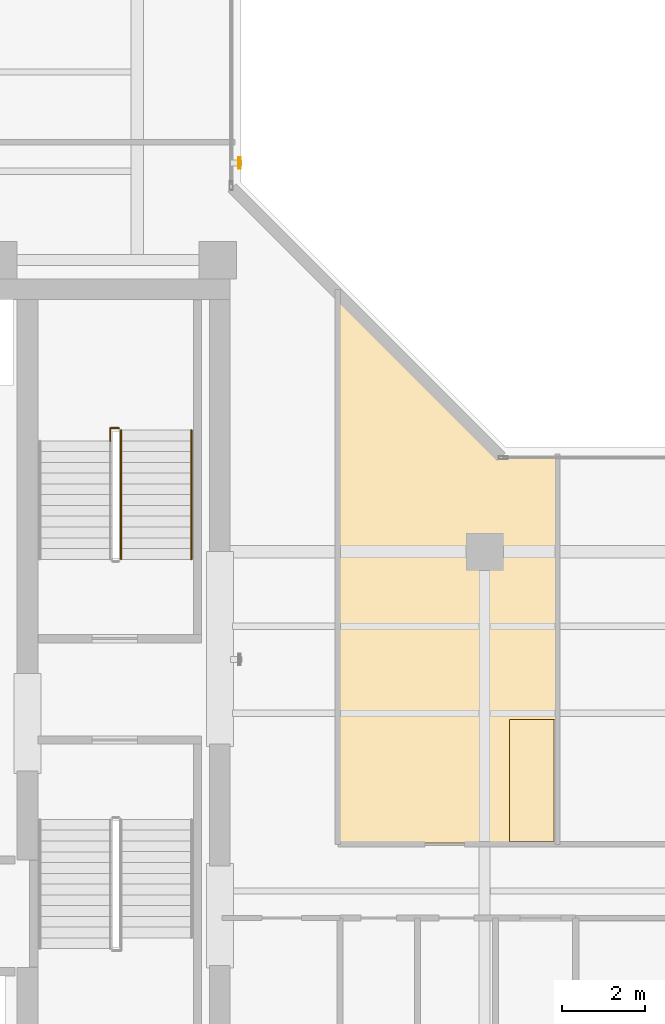
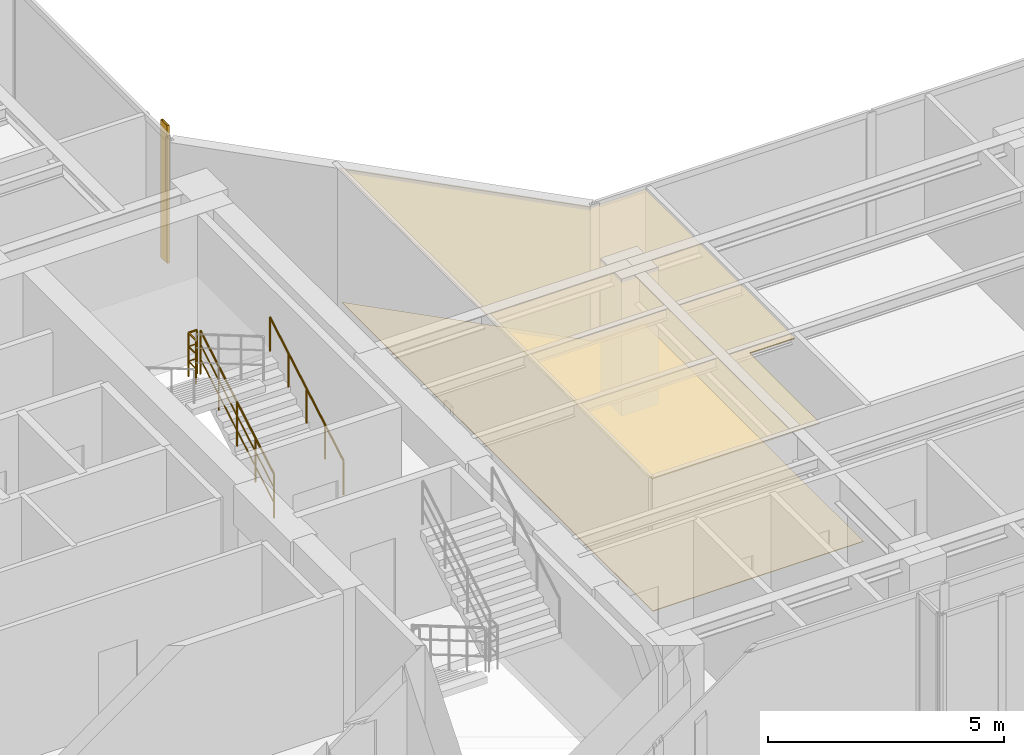
# One storey, part 22 of 24: 3 railings, 2 coverings, 1 shading device.
"""IFC4 building model written with IfcOpenShell, lengths in metres."""

from ifc_helpers import new_model, si_unit, direction, frame, origin, origin_2d, place, context, subcontext, project, spatial, polyline, hollow_rectangle, circle, outline, extrude, material, layer, layer_set, material_profile, profile_set, type_object, element, save


model = new_model("IFC4")

# Units and contexts
model_context = context("Model", 3, precision=1e-05, world=origin(), true_north=direction((0.0, 1.0)))
body_context = subcontext(model_context, "Body", "Model", "MODEL_VIEW")
ifc_project = project(units=[si_unit("LENGTHUNIT", "METRE"), si_unit("AREAUNIT", "SQUARE_METRE"), si_unit("VOLUMEUNIT", "CUBIC_METRE"), si_unit("PLANEANGLEUNIT", "RADIAN"), si_unit("MASSUNIT", "GRAM", prefix="KILO")], contexts=[model_context])

# Site, building, storey
site_placement = place(None, origin())
site = spatial("IfcSite", under=ifc_project, at=site_placement, CompositionType="ELEMENT")
building_placement = place(site_placement, origin())
building = spatial("IfcBuilding", under=site, at=building_placement, Name="Kolvaren Waterfront Exchange", CompositionType="ELEMENT")
storey_placement = place(building_placement, frame((0.0, 0.0, 293.199951171875)))
storey = spatial("IfcBuildingStorey", under=building, at=storey_placement, Name="L75", CompositionType="ELEMENT", Elevation=293.199951171875)

# Covering
ifc_material_1 = material(Name="Mineral fibre acoustic ceiling tile")
ifc_layer_1 = layer(ifc_material_1, 0.02490234375, Name="Mineral fibre acoustic ceiling tile")
ifc_layer_set_1 = layer_set([ifc_layer_1], Name="Mineral fibre acoustic ceiling tile")
covering_type_1 = type_object("IfcCoveringType", Name="ARC-CEIL-ACOUSTIC-25", PredefinedType="CEILING", material=ifc_layer_set_1)
covering_1_placement = place(storey_placement, frame((0.0, 0.0, 3.445068359375)))
element("IfcCovering", 1, at=covering_1_placement, inside=storey, type_object=covering_type_1, Name="L75 acoustic suspended ceiling 3", PredefinedType="CEILING", context=body_context, shape_type="SweptSolid", body=[
    extrude(outline(polyline([(27.624755859375, 19.69580078125), (23.695068359375, 23.62548828125), (23.695068359375, 10.364990234375), (27.800048828125, 10.364990234375), (27.800048828125, 13.35009765625), (28.9150390625, 13.35009765625), (28.9150390625, 19.69580078125), (27.624755859375, 19.69580078125)])), origin(), (0.0, 0.0, 1.0), 0.02490234375),
])

# Shading device
ifc_material_2 = material(Name="Anodised bronze aluminium 6063-T6", Category="aluminium")
ifc_material_profile = material_profile(ifc_material_2, hollow_rectangle(XDim=0.054931640625, YDim=0.280029296875, WallThickness=0.00439453125, at=origin_2d()), Name="BRZ-FIN-280x55x4.5")
ifc_profile_set = profile_set([ifc_material_profile], Name="Anodised bronze aluminium 6063-T6")
shading_device_type = type_object("IfcShadingDeviceType", Name="ARC-FIN-280", PredefinedType="USERDEFINED", material=ifc_profile_set)
shading_device_placement = place(storey_placement, frame((21.27587890625, 26.800048828125, 0.0), z_axis=(0.0, 0.0, 1.0), x_axis=(1.0, 0.0, 0.0)))
element("IfcShadingDevice", 2, at=shading_device_placement, inside=storey, type_object=shading_device_type, Name="L75 anodised bronze solar shading fin FIN-L75-E2", ObjectType="SOLAR FIN", PredefinedType="USERDEFINED", context=body_context, shape_type="SweptSolid", body=[
    extrude(hollow_rectangle(XDim=0.054931640625, YDim=0.280029296875, WallThickness=0.00439453125, at=origin_2d()), origin(), (0.0, 0.0, 1.0), 3.56005859375),
])

# Covering
ifc_material_3 = material(Name="Slip-resistant porcelain tile")
ifc_layer_2 = layer(ifc_material_3, 0.014892578125, Name="Slip-resistant porcelain tile")
ifc_layer_set_2 = layer_set([ifc_layer_2], Name="Slip-resistant porcelain tile")
covering_type_2 = type_object("IfcCoveringType", Name="ARC-FLR-PORC-15", PredefinedType="FLOORING", material=ifc_layer_set_2)
covering_2_placement = place(storey_placement, origin())
element("IfcCovering", 3, at=covering_2_placement, inside=storey, type_object=covering_type_2, Name="L75 floor finish 3", PredefinedType="FLOORING", context=body_context, shape_type="SweptSolid", body=[
    extrude(outline(polyline([(23.72998046875, 10.39990234375), (28.8798828125, 10.39990234375), (28.8798828125, 19.67578125), (27.7158203125, 19.67578125), (27.6923828125, 19.677001953125), (27.6689453125, 19.680419921875), (27.64599609375, 19.68603515625), (27.6240234375, 19.694091796875), (27.602783203125, 19.7041015625), (27.58251953125, 19.71630859375), (27.5634765625, 19.730224609375), (27.546142578125, 19.74609375), (23.72998046875, 23.562255859375), (23.72998046875, 10.39990234375)])), origin(), (0.0, 0.0, 1.0), 0.01513671875),
])

# Railings
ifc_material_4 = material(Name="Stainless steel 316", Category="steel")
railing_type_1 = type_object("IfcRailingType", Name="ARC-GUARD-STAIR", PredefinedType="GUARDRAIL", material=ifc_material_4)
railing_1_placement = place(storey_placement, frame((18.409912109375, 17.219970703125, 0.152099609375)))
element("IfcRailing", 4, at=railing_1_placement, inside=storey, type_object=railing_type_1, Name="L75 ST2 stair guard 1", PredefinedType="GUARDRAIL", context=body_context, shape_type="SweptSolid", body=[
    extrude(circle(Radius=0.02392578125, at=origin_2d()), frame((0.0, 0.0, 1.1259765625), z_axis=(0.0, 0.86330811405, 0.504677223793), x_axis=(-1.0, 0.0, 0.0)), (0.0, 0.0, 1.0), 3.6142578125),
    extrude(circle(Radius=0.01611328125, at=origin_2d()), frame((0.0, 0.0, 0.390869140625), z_axis=(0.0, 0.86330811405, 0.504677223793), x_axis=(-1.0, 0.0, 0.0)), (0.0, 0.0, 1.0), 3.6142578125),
    extrude(circle(Radius=0.01611328125, at=origin_2d()), frame((0.0, 0.0, 0.7705078125), z_axis=(0.0, 0.86330811405, 0.504677223793), x_axis=(-1.0, 0.0, 0.0)), (0.0, 0.0, 1.0), 3.6142578125),
    extrude(circle(Radius=0.02099609375, at=origin_2d()), origin(), (0.0, 0.0, 1.0), 1.101806640625),
    extrude(circle(Radius=0.02099609375, at=origin_2d()), frame((0.0, 0.780029296875, 0.4560546875)), (0.0, 0.0, 1.0), 1.101806640625),
    extrude(circle(Radius=0.02099609375, at=origin_2d()), frame((0.0, 1.56005859375, 0.912109375)), (0.0, 0.0, 1.0), 1.101806640625),
    extrude(circle(Radius=0.02099609375, at=origin_2d()), frame((0.0, 2.340087890625, 1.367919921875)), (0.0, 0.0, 1.0), 1.101806640625),
    extrude(circle(Radius=0.02099609375, at=origin_2d()), frame((0.0, 3.1201171875, 1.823974609375)), (0.0, 0.0, 1.0), 1.101806640625),
])
railing_2_placement = place(storey_placement, frame((18.360107421875, 20.389892578125, 1.97607421875)))
element("IfcRailing", 5, at=railing_2_placement, inside=storey, type_object=railing_type_1, Name="L75 ST2 stair guard 2", PredefinedType="GUARDRAIL", context=body_context, shape_type="SweptSolid", body=[
    extrude(circle(Radius=0.02392578125, at=origin_2d()), frame((0.0, 0.0, 1.1259765625), z_axis=(-1.0, 0.0, 0.0), x_axis=(0.0, -1.0, 0.0)), (0.0, 0.0, 1.0), 0.210205078125),
    extrude(circle(Radius=0.01611328125, at=origin_2d()), frame((0.0, 0.0, 0.390869140625), z_axis=(-1.0, 0.0, 0.0), x_axis=(0.0, -1.0, 0.0)), (0.0, 0.0, 1.0), 0.210205078125),
    extrude(circle(Radius=0.01611328125, at=origin_2d()), frame((0.0, 0.0, 0.7705078125), z_axis=(-1.0, 0.0, 0.0), x_axis=(0.0, -1.0, 0.0)), (0.0, 0.0, 1.0), 0.210205078125),
    extrude(circle(Radius=0.02392578125, at=origin_2d()), frame((-0.210205078125, 0.0, 1.1259765625), z_axis=(0.0, -1.0, 0.0), x_axis=(1.0, 0.0, 0.0)), (0.0, 0.0, 1.0), 0.309814453125),
    extrude(circle(Radius=0.01611328125, at=origin_2d()), frame((-0.210205078125, 0.0, 0.390869140625), z_axis=(0.0, -1.0, 0.0), x_axis=(1.0, 0.0, 0.0)), (0.0, 0.0, 1.0), 0.309814453125),
    extrude(circle(Radius=0.01611328125, at=origin_2d()), frame((-0.210205078125, 0.0, 0.7705078125), z_axis=(0.0, -1.0, 0.0), x_axis=(1.0, 0.0, 0.0)), (0.0, 0.0, 1.0), 0.309814453125),
    extrude(circle(Radius=0.02099609375, at=origin_2d()), origin(), (0.0, 0.0, 1.0), 1.101806640625),
    extrude(circle(Radius=0.02099609375, at=origin_2d()), frame((-0.210205078125, 0.0, 0.0)), (0.0, 0.0, 1.0), 1.101806640625),
    extrude(circle(Radius=0.02099609375, at=origin_2d()), frame((-0.210205078125, -0.309814453125, 0.0)), (0.0, 0.0, 1.0), 1.101806640625),
])
railing_type_2 = type_object("IfcRailingType", Name="ARC-HANDRAIL-900", PredefinedType="HANDRAIL", material=ifc_material_4)
railing_3_placement = place(storey_placement, frame((20.110107421875, 17.219970703125, 0.152099609375)))
element("IfcRailing", 6, at=railing_3_placement, inside=storey, type_object=railing_type_2, Name="L75 ST2 stair handrail 1", PredefinedType="HANDRAIL", context=body_context, shape_type="SweptSolid", body=[
    extrude(circle(Radius=0.02392578125, at=origin_2d()), frame((0.0, 0.0, 0.8759765625), z_axis=(0.0, 0.86330811405, 0.504677223793), x_axis=(-1.0, 0.0, 0.0)), (0.0, 0.0, 1.0), 3.6142578125),
    extrude(circle(Radius=0.02099609375, at=origin_2d()), origin(), (0.0, 0.0, 1.0), 0.851806640625),
    extrude(circle(Radius=0.02099609375, at=origin_2d()), frame((0.0, 0.780029296875, 0.4560546875)), (0.0, 0.0, 1.0), 0.851806640625),
    extrude(circle(Radius=0.02099609375, at=origin_2d()), frame((0.0, 1.56005859375, 0.912109375)), (0.0, 0.0, 1.0), 0.851806640625),
    extrude(circle(Radius=0.02099609375, at=origin_2d()), frame((0.0, 2.340087890625, 1.367919921875)), (0.0, 0.0, 1.0), 0.851806640625),
    extrude(circle(Radius=0.02099609375, at=origin_2d()), frame((0.0, 3.1201171875, 1.823974609375)), (0.0, 0.0, 1.0), 0.851806640625),
])

save(model, "model.ifc")
